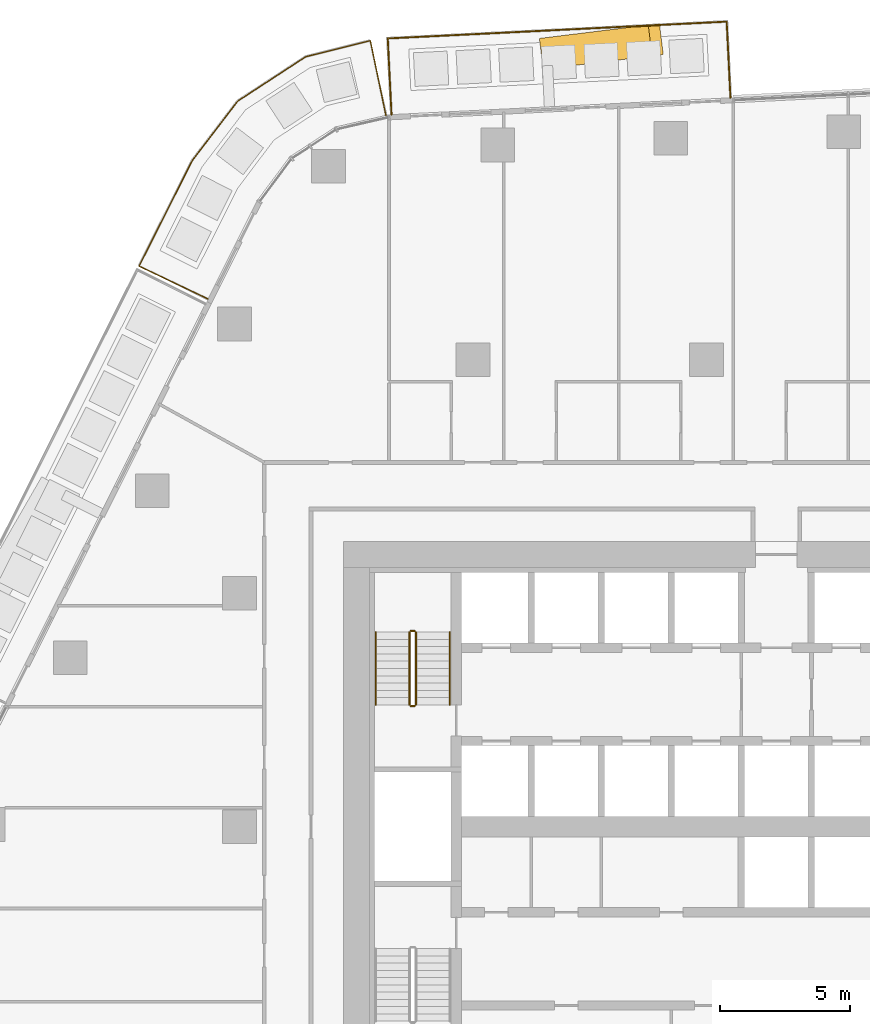
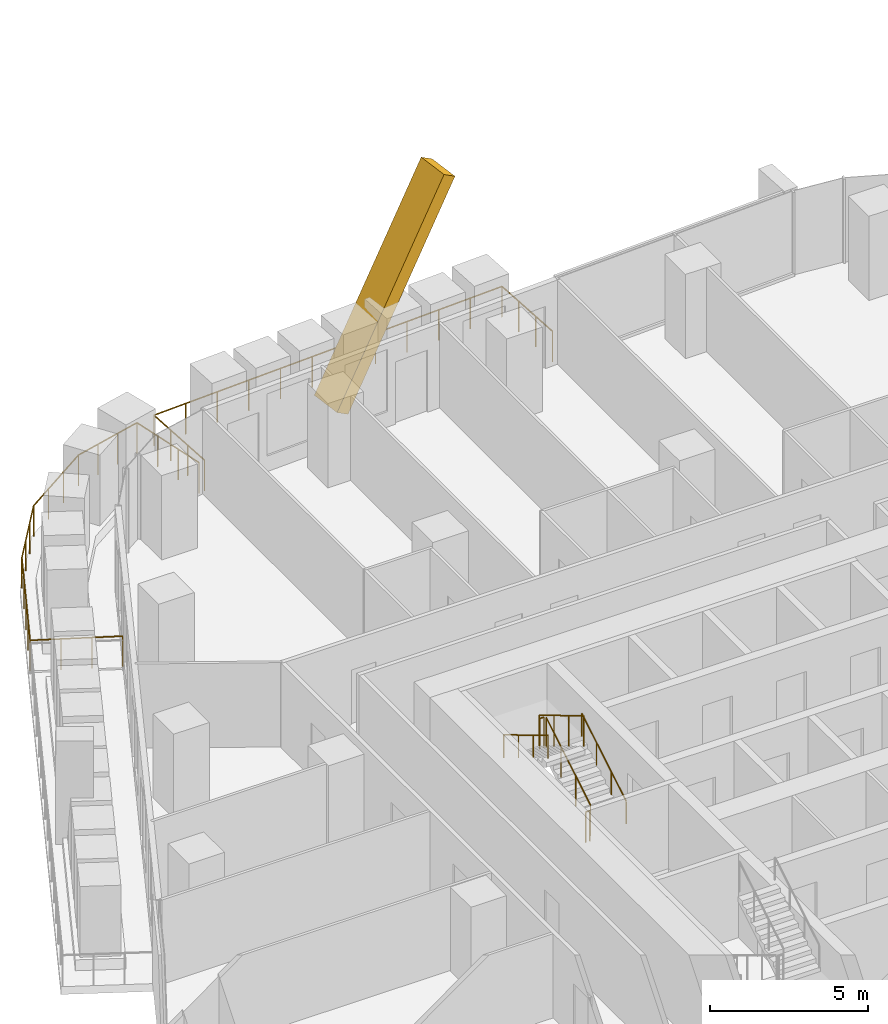
# One storey, part 24 of 26: 8 railings, 1 covering, 1 element without a shape of its own.
"""IFC4 building model written with IfcOpenShell, lengths in metres."""

import ifcopenshell
import ifcopenshell.guid

model = None  # the IFC model being written
_history = None  # IfcOwnerHistory: only IFC2X3 demands one
_inside = {}  # id of a spatial element -> (the spatial element, [elements in it])
_under = {}  # id of a project, library or spatial element -> (it, [spatial elements below it])
_declared = {}  # id of a project -> (the project, [libraries it declares])
_typed = {}  # id of a type object -> (the type object, [elements of that type])
_made_of = {}  # id of a material, layer set ... -> (it, [elements and type objects made of it])


def new_model(schema):
    """Start an empty IFC model of exactly this schema.

    Asked for "IFC4X3", IfcOpenShell would pick the latest addendum, in which some entities
    have other attributes; the version numbers below select the first issue.
    IFC2X3 requires an IfcOwnerHistory on every rooted entity: one is made here for all.
    """
    global model, _history
    if schema == "IFC4X3":
        model = ifcopenshell.file(schema_version=(4, 3, 0, 0))
    else:
        model = ifcopenshell.file(schema=schema)
    _inside.clear()
    _under.clear()
    _declared.clear()
    _typed.clear()
    _made_of.clear()
    _history = None
    if model.schema == "IFC2X3":
        org = make("IfcOrganization", Name="unknown")
        user = make(
            "IfcPersonAndOrganization",
            ThePerson=make("IfcPerson", FamilyName="unknown"),
            TheOrganization=org,
        )
        app = make(
            "IfcApplication",
            ApplicationDeveloper=org,
            Version="unknown",
            ApplicationFullName="unknown",
            ApplicationIdentifier="unknown",
        )
        _history = make(
            "IfcOwnerHistory",
            OwningUser=user,
            OwningApplication=app,
            ChangeAction="ADDED",
            CreationDate=0,
        )
    return model


def make(cls, **values):
    """One entity of the class cls with the attributes given. An attribute that is None is left unset."""
    return model.create_entity(
        cls, **{name: value for name, value in values.items() if value is not None}
    )


def rooted(cls, **values):
    """An entity with a GlobalId (a new one), such as an element, a storey or a relation."""
    return make(cls, GlobalId=ifcopenshell.guid.new(), OwnerHistory=_history, **values)


def si_unit(unit_type, name, prefix=None):
    """IfcSIUnit, for example si_unit("LENGTHUNIT", "METRE", prefix="MILLI")."""
    return make("IfcSIUnit", UnitType=unit_type, Prefix=prefix, Name=name)


def assignment(units):
    """IfcUnitAssignment: the units of a project."""
    return None if units is None else make("IfcUnitAssignment", Units=units)


def point(xyz):
    """IfcCartesianPoint."""
    return None if xyz is None else make("IfcCartesianPoint", Coordinates=xyz)


def direction(xyz):
    """IfcDirection."""
    return None if xyz is None else make("IfcDirection", DirectionRatios=xyz)


def frame(location, z_axis=None, x_axis=None):
    """IfcAxis2Placement3D, a coordinate frame: its origin and axes. An axis left out is left unset."""
    return make(
        "IfcAxis2Placement3D",
        Location=point(location),
        Axis=direction(z_axis),
        RefDirection=direction(x_axis),
    )


def frame_2d(location, x_axis=None):
    """IfcAxis2Placement2D, a coordinate frame in the plane: its origin and x axis."""
    return make(
        "IfcAxis2Placement2D", Location=point(location), RefDirection=direction(x_axis)
    )


def origin():
    """The frame at (0, 0, 0) with its axes left unset."""
    return frame((0.0, 0.0, 0.0))


def origin_2d():
    """The frame at (0, 0) in the plane with its x axis left unset."""
    return frame_2d((0.0, 0.0))


def place(relative_to, where):
    """IfcLocalPlacement: puts the frame where relative to a parent placement (None: the world)."""
    return make(
        "IfcLocalPlacement", PlacementRelTo=relative_to, RelativePlacement=where
    )


def context(
    kind, dimensions, precision=None, world=None, true_north=None, identifier=None
):
    """IfcGeometricRepresentationContext, for example the 3D "Model" context."""
    return make(
        "IfcGeometricRepresentationContext",
        ContextIdentifier=identifier,
        ContextType=kind,
        CoordinateSpaceDimension=dimensions,
        Precision=precision,
        WorldCoordinateSystem=world,
        TrueNorth=true_north,
    )


def subcontext(parent, identifier, kind, view, scale=None):
    """IfcGeometricRepresentationSubContext, for example "Body" below "Model"."""
    return make(
        "IfcGeometricRepresentationSubContext",
        ContextIdentifier=identifier,
        ContextType=kind,
        ParentContext=parent,
        TargetScale=scale,
        TargetView=view,
    )


def project(units=None, contexts=None):
    """IfcProject with its units and contexts."""
    return rooted(
        "IfcProject",
        Name="project",
        RepresentationContexts=contexts,
        UnitsInContext=assignment(units),
    )


def spatial(cls, under=None, at=None, **own):
    """A site, building, storey or space (cls), placed at a placement, below another one or the project."""
    s = rooted(cls, ObjectPlacement=at, **own)
    if under is not None:
        _under.setdefault(under.id(), (under, []))[1].append(s)
    return s


def profile(cls, at=None, kind="AREA", **sizes):
    """A parametric profile (cls). Its sizes go by their IFC names, for example OverallWidth=200.0."""
    return make(cls, ProfileType=kind, Position=at, **sizes)


def rectangle(**sizes):
    """IfcRectangleProfileDef."""
    return profile("IfcRectangleProfileDef", **sizes)


def circle(**sizes):
    """IfcCircleProfileDef."""
    return profile("IfcCircleProfileDef", **sizes)


def extrude(swept, where, along, depth):
    """IfcExtrudedAreaSolid: the profile swept, set in the frame where, extruded along a direction by depth."""
    return make(
        "IfcExtrudedAreaSolid",
        SweptArea=swept,
        Position=where,
        ExtrudedDirection=direction(along),
        Depth=depth,
    )


def shape(context_of_items, identifier, shape_type, items):
    """IfcShapeRepresentation: the items that make up one representation, for example the "Body"."""
    return make(
        "IfcShapeRepresentation",
        ContextOfItems=context_of_items,
        RepresentationIdentifier=identifier,
        RepresentationType=shape_type,
        Items=items,
    )


def material(Name=None, Category=None):
    """IfcMaterial."""
    return make("IfcMaterial", Name=Name, Category=Category)


def layer(
    of_material, thickness, ventilated=None, Name=None, Category=None, Priority=None
):
    """IfcMaterialLayer: one layer of a wall or slab, of a material (None: an air gap)."""
    return make(
        "IfcMaterialLayer",
        Material=of_material,
        LayerThickness=thickness,
        IsVentilated=ventilated,
        Name=Name,
        Category=Category,
        Priority=Priority,
    )


def layer_set(layers, Name=None):
    """IfcMaterialLayerSet."""
    return make("IfcMaterialLayerSet", MaterialLayers=layers, LayerSetName=Name)


def material_profile(
    of_material, cross_section, Name=None, Category=None, Priority=None
):
    """IfcMaterialProfile: a cross section and its material."""
    return make(
        "IfcMaterialProfile",
        Name=Name,
        Material=of_material,
        Profile=cross_section,
        Priority=Priority,
        Category=Category,
    )


def profile_set(profiles, Name=None, composite=None):
    """IfcMaterialProfileSet."""
    return make(
        "IfcMaterialProfileSet",
        Name=Name,
        MaterialProfiles=profiles,
        CompositeProfile=composite,
    )


def made_of(thing, what):
    """Note that an element or type object is made of a material, layer set ...; save() writes the relation."""
    if what is not None:
        _made_of.setdefault(what.id(), (what, []))[1].append(thing)
    return thing


def type_object(cls, material=None, **own):
    """A type object (cls), such as IfcWallType, which elements share."""
    return made_of(rooted(cls, **own), material)


def element(
    cls,
    number,
    at=None,
    inside=None,
    cuts=None,
    type_object=None,
    material=None,
    context=None,
    identifier="Body",
    shape_type=None,
    held_by="IfcProductDefinitionShape",
    body=None,
    shapes=None,
    **own,
):
    """One element of the class cls, such as IfcWall. Its Tag is "e" and its number.

    at: its placement. inside: the storey or other place that contains it. cuts: it is an
    opening in that element (IfcRelVoidsElement). A single representation is given by context,
    identifier, shape_type and body (its items); several are given by shapes. held_by: the class
    of the entity that holds the representations. save() writes the other relations.
    """
    e = rooted(cls, Tag="e%d" % number, ObjectPlacement=at, **own)
    if body is not None:
        shapes = [shape(context, identifier, shape_type, body)]
    if shapes is not None:
        e.Representation = make(held_by, Representations=shapes)
    if inside is not None:
        _inside.setdefault(inside.id(), (inside, []))[1].append(e)
    if cuts is not None:
        rooted(
            "IfcRelVoidsElement", RelatingBuildingElement=cuts, RelatedOpeningElement=e
        )
    if type_object is not None:
        _typed.setdefault(type_object.id(), (type_object, []))[1].append(e)
    return made_of(e, material)


def aggregate(whole, parts):
    """IfcRelAggregates: a whole, such as a stair, and the parts it consists of."""
    return rooted("IfcRelAggregates", RelatingObject=whole, RelatedObjects=parts)


def save(model, path):
    """Write the relations noted so far, then the file.

    IfcRelAggregates (storeys below a building ...), IfcRelContainedInSpatialStructure (elements
    in a storey), IfcRelDefinesByType, IfcRelAssociatesMaterial and IfcRelDeclares: one each for
    every whole, place, type object, material and project.
    """
    for whole, parts in _under.values():
        aggregate(whole, parts)
    for where, things in _inside.values():
        rooted(
            "IfcRelContainedInSpatialStructure",
            RelatedElements=things,
            RelatingStructure=where,
        )
    for kind, things in _typed.values():
        rooted("IfcRelDefinesByType", RelatedObjects=things, RelatingType=kind)
    for what, things in _made_of.values():
        rooted("IfcRelAssociatesMaterial", RelatedObjects=things, RelatingMaterial=what)
    for by, libraries in _declared.values():
        rooted("IfcRelDeclares", RelatingContext=by, RelatedDefinitions=libraries)
    model.write(path)


model = new_model("IFC4")

# Units and contexts
model_context = context("Model", 3, precision=1e-05, world=origin(), true_north=direction((0.0, 1.0)))
body_context = subcontext(model_context, "Body", "Model", "MODEL_VIEW")
ifc_project = project(units=[si_unit("LENGTHUNIT", "METRE"), si_unit("AREAUNIT", "SQUARE_METRE"), si_unit("VOLUMEUNIT", "CUBIC_METRE"), si_unit("PLANEANGLEUNIT", "RADIAN"), si_unit("MASSUNIT", "GRAM", prefix="KILO")], contexts=[model_context])

# Site, building, storey
site_placement = place(None, origin())
site = spatial("IfcSite", under=ifc_project, at=site_placement, CompositionType="ELEMENT")
building_placement = place(site_placement, origin())
building = spatial("IfcBuilding", under=site, at=building_placement, Name="Dongbaek Canopy Tower", CompositionType="ELEMENT")
storey_placement = place(building_placement, frame((0.0, 0.0, 95.199951171875)))
storey = spatial("IfcBuildingStorey", under=building, at=storey_placement, Name="L19", CompositionType="ELEMENT", Elevation=95.199951171875)

# Railings
ifc_material_1 = material(Name="Stainless steel", Category="steel")
railing_type_1 = type_object("IfcRailingType", Name="Balcony balustrade 1200", PredefinedType="BALUSTRADE", material=ifc_material_1)
railing_1_placement = place(storey_placement, frame((0.927490234375, 28.10693359375, 0.0)))
element("IfcRailing", 1, at=railing_1_placement, inside=storey, type_object=railing_type_1, Name="Balcony guard L19 2", PredefinedType="BALUSTRADE", context=body_context, shape_type="SweptSolid", body=[
    extrude(circle(Radius=0.02392578125, at=origin_2d()), frame((0.0, 0.0, 1.17578125), z_axis=(-0.049573161416, 0.998770494992, 0.0), x_axis=(-0.998770494992, -0.049573161416, 0.0)), (0.0, 0.0, 1.0), 2.940185546875),
    extrude(circle(Radius=0.02392578125, at=origin_2d()), frame((-0.145751953125, 2.9365234375, 1.17578125), z_axis=(-0.998772357808, -0.049535616267, 0.0), x_axis=(0.049535616267, -0.998772357808, 0.0)), (0.0, 0.0, 1.0), 13.08544921875),
    extrude(circle(Radius=0.02392578125, at=origin_2d()), frame((-13.215087890625, 2.288330078125, 1.17578125), z_axis=(0.049490327847, -0.998774602926, 0.0), x_axis=(0.998774602926, 0.049490327847, 0.0)), (0.0, 0.0, 1.0), 2.940185546875),
    extrude(circle(Radius=0.02099609375, at=origin_2d()), origin(), (0.0, 0.0, 1.0), 1.15185546875),
    extrude(circle(Radius=0.02099609375, at=origin_2d()), frame((-0.048583984375, 0.978759765625, 0.0)), (0.0, 0.0, 1.0), 1.15185546875),
    extrude(circle(Radius=0.02099609375, at=origin_2d()), frame((-0.09716796875, 1.957763671875, 0.0)), (0.0, 0.0, 1.0), 1.15185546875),
    extrude(circle(Radius=0.02099609375, at=origin_2d()), frame((-0.145751953125, 2.9365234375, 0.0)), (0.0, 0.0, 1.0), 1.15185546875),
    extrude(circle(Radius=0.02099609375, at=origin_2d()), frame((-1.333984375, 2.877685546875, 0.0)), (0.0, 0.0, 1.0), 1.15185546875),
    extrude(circle(Radius=0.02099609375, at=origin_2d()), frame((-2.52197265625, 2.818603515625, 0.0)), (0.0, 0.0, 1.0), 1.15185546875),
    extrude(circle(Radius=0.02099609375, at=origin_2d()), frame((-3.710205078125, 2.759765625, 0.0)), (0.0, 0.0, 1.0), 1.15185546875),
    extrude(circle(Radius=0.02099609375, at=origin_2d()), frame((-4.898193359375, 2.700927734375, 0.0)), (0.0, 0.0, 1.0), 1.15185546875),
    extrude(circle(Radius=0.02099609375, at=origin_2d()), frame((-6.08642578125, 2.641845703125, 0.0)), (0.0, 0.0, 1.0), 1.15185546875),
    extrude(circle(Radius=0.02099609375, at=origin_2d()), frame((-7.2744140625, 2.5830078125, 0.0)), (0.0, 0.0, 1.0), 1.15185546875),
    extrude(circle(Radius=0.02099609375, at=origin_2d()), frame((-8.462646484375, 2.52392578125, 0.0)), (0.0, 0.0, 1.0), 1.15185546875),
    extrude(circle(Radius=0.02099609375, at=origin_2d()), frame((-9.650634765625, 2.465087890625, 0.0)), (0.0, 0.0, 1.0), 1.15185546875),
    extrude(circle(Radius=0.02099609375, at=origin_2d()), frame((-10.8388671875, 2.40625, 0.0)), (0.0, 0.0, 1.0), 1.15185546875),
    extrude(circle(Radius=0.02099609375, at=origin_2d()), frame((-12.02685546875, 2.34716796875, 0.0)), (0.0, 0.0, 1.0), 1.15185546875),
    extrude(circle(Radius=0.02099609375, at=origin_2d()), frame((-13.215087890625, 2.288330078125, 0.0)), (0.0, 0.0, 1.0), 1.15185546875),
    extrude(circle(Radius=0.02099609375, at=origin_2d()), frame((-13.16650390625, 1.3095703125, 0.0)), (0.0, 0.0, 1.0), 1.15185546875),
    extrude(circle(Radius=0.02099609375, at=origin_2d()), frame((-13.1181640625, 0.33056640625, 0.0)), (0.0, 0.0, 1.0), 1.15185546875),
    extrude(circle(Radius=0.02099609375, at=origin_2d()), frame((-13.069580078125, -0.648193359375, 0.0)), (0.0, 0.0, 1.0), 1.15185546875),
])
railing_2_placement = place(storey_placement, frame((-12.359130859375, 27.4287109375, 0.0)))
element("IfcRailing", 2, at=railing_2_placement, inside=storey, type_object=railing_type_1, Name="Balcony guard L19 7", PredefinedType="BALUSTRADE", context=body_context, shape_type="SweptSolid", body=[
    extrude(circle(Radius=0.02392578125, at=origin_2d()), frame((0.0, 0.0, 1.17578125), z_axis=(-0.203821636355, 0.979008039065, 0.0), x_axis=(-0.979008039065, -0.203821636355, 0.0)), (0.0, 0.0, 1.0), 2.940673828125),
    extrude(circle(Radius=0.02392578125, at=origin_2d()), frame((-0.599365234375, 2.87890625, 1.17578125), z_axis=(-0.970527127867, -0.240991896282, 0.0), x_axis=(0.240991896282, -0.970527127867, 0.0)), (0.0, 0.0, 1.0), 2.568115234375),
    extrude(circle(Radius=0.02392578125, at=origin_2d()), frame((-3.091796875, 2.260009765625, 1.17578125), z_axis=(-0.837559434191, -0.546346221912, 0.0), x_axis=(0.546346221912, -0.837559434191, 0.0)), (0.0, 0.0, 1.0), 3.133056640625),
    extrude(circle(Radius=0.02392578125, at=origin_2d()), frame((-5.7158203125, 0.54833984375, 1.17578125), z_axis=(-0.607172847411, -0.79456977879, 0.0), x_axis=(0.79456977879, -0.607172847411, 0.0)), (0.0, 0.0, 1.0), 2.87646484375),
    extrude(circle(Radius=0.02392578125, at=origin_2d()), frame((-7.46240234375, -1.7373046875, 1.17578125), z_axis=(-0.450184545621, -0.892935537922, 0.0), x_axis=(0.892935537922, -0.450184545621, 0.0)), (0.0, 0.0, 1.0), 4.565185546875),
    extrude(circle(Radius=0.02392578125, at=origin_2d()), frame((-9.517578125, -5.813720703125, 1.17578125), z_axis=(0.90303845694, -0.429559710969, 0.0), x_axis=(0.429559710969, 0.90303845694, 0.0)), (0.0, 0.0, 1.0), 2.940673828125),
    extrude(circle(Radius=0.02099609375, at=origin_2d()), origin(), (0.0, 0.0, 1.0), 1.15185546875),
    extrude(circle(Radius=0.02099609375, at=origin_2d()), frame((-0.19970703125, 0.959716796875, 0.0)), (0.0, 0.0, 1.0), 1.15185546875),
    extrude(circle(Radius=0.02099609375, at=origin_2d()), frame((-0.399658203125, 1.919189453125, 0.0)), (0.0, 0.0, 1.0), 1.15185546875),
    extrude(circle(Radius=0.02099609375, at=origin_2d()), frame((-0.599365234375, 2.87890625, 0.0)), (0.0, 0.0, 1.0), 1.15185546875),
    extrude(circle(Radius=0.02099609375, at=origin_2d()), frame((-1.43017578125, 2.672607421875, 0.0)), (0.0, 0.0, 1.0), 1.15185546875),
    extrude(circle(Radius=0.02099609375, at=origin_2d()), frame((-2.260986328125, 2.46630859375, 0.0)), (0.0, 0.0, 1.0), 1.15185546875),
    extrude(circle(Radius=0.02099609375, at=origin_2d()), frame((-3.091796875, 2.260009765625, 0.0)), (0.0, 0.0, 1.0), 1.15185546875),
    extrude(circle(Radius=0.02099609375, at=origin_2d()), frame((-3.966552734375, 1.689453125, 0.0)), (0.0, 0.0, 1.0), 1.15185546875),
    extrude(circle(Radius=0.02099609375, at=origin_2d()), frame((-4.841064453125, 1.118896484375, 0.0)), (0.0, 0.0, 1.0), 1.15185546875),
    extrude(circle(Radius=0.02099609375, at=origin_2d()), frame((-5.7158203125, 0.54833984375, 0.0)), (0.0, 0.0, 1.0), 1.15185546875),
    extrude(circle(Radius=0.02099609375, at=origin_2d()), frame((-6.298095703125, -0.213623046875, 0.0)), (0.0, 0.0, 1.0), 1.15185546875),
    extrude(circle(Radius=0.02099609375, at=origin_2d()), frame((-6.880126953125, -0.975341796875, 0.0)), (0.0, 0.0, 1.0), 1.15185546875),
    extrude(circle(Radius=0.02099609375, at=origin_2d()), frame((-7.46240234375, -1.7373046875, 0.0)), (0.0, 0.0, 1.0), 1.15185546875),
    extrude(circle(Radius=0.02099609375, at=origin_2d()), frame((-7.97607421875, -2.75634765625, 0.0)), (0.0, 0.0, 1.0), 1.15185546875),
    extrude(circle(Radius=0.02099609375, at=origin_2d()), frame((-8.489990234375, -3.775390625, 0.0)), (0.0, 0.0, 1.0), 1.15185546875),
    extrude(circle(Radius=0.02099609375, at=origin_2d()), frame((-9.00390625, -4.794677734375, 0.0)), (0.0, 0.0, 1.0), 1.15185546875),
    extrude(circle(Radius=0.02099609375, at=origin_2d()), frame((-9.517578125, -5.813720703125, 0.0)), (0.0, 0.0, 1.0), 1.15185546875),
    extrude(circle(Radius=0.02099609375, at=origin_2d()), frame((-8.63232421875, -6.23486328125, 0.0)), (0.0, 0.0, 1.0), 1.15185546875),
    extrude(circle(Radius=0.02099609375, at=origin_2d()), frame((-7.747314453125, -6.65576171875, 0.0)), (0.0, 0.0, 1.0), 1.15185546875),
    extrude(circle(Radius=0.02099609375, at=origin_2d()), frame((-6.862060546875, -7.076904296875, 0.0)), (0.0, 0.0, 1.0), 1.15185546875),
])

# Curtain wall, covering
ifc_material_2 = material(Name="Aluminium 6063-T6 pale anodised", Category="aluminium")
ifc_layer = layer(ifc_material_2, 0.199951171875)
ifc_layer_set = layer_set([ifc_layer], Name="CW-1 unitised tower curtain wall")
curtain_wall_type = type_object("IfcCurtainWallType", Name="CW-1 unitised tower curtain wall", PredefinedType="NOTDEFINED", material=ifc_layer_set)
curtain_wall_placement = place(storey_placement, origin())
curtain_wall = element("IfcCurtainWall", 3, at=curtain_wall_placement, inside=storey, type_object=curtain_wall_type, Name="CW-1 curtain wall K2.1a", PredefinedType="NOTDEFINED")
ifc_material_3 = material(Name="Aluminium 6063-T6 pale metal fin", Category="aluminium")
ifc_material_profile = material_profile(ifc_material_3, rectangle(XDim=1.199951171875, YDim=0.5, at=origin_2d()), Name="Crease fin CF1 500 x 1200 pale metal")
ifc_profile_set = profile_set([ifc_material_profile], Name="Aluminium 6063-T6 pale metal fin")
covering_type = type_object("IfcCoveringType", Name="Crease fin CF1 500 x 1200 pale metal", PredefinedType="CLADDING", material=ifc_profile_set)
covering_placement = place(storey_placement, frame((-6.152587890625, 29.8271484375, -0.224853515625), z_axis=(0.492611223604, 0.060634802045, 0.868134553604), x_axis=(-0.122166570595, 0.992509611555, 0.0)))
covering = element("IfcCovering", 4, at=covering_placement, type_object=covering_type, Name="Crease fin L19 L21 F1", PredefinedType="CLADDING", context=body_context, shape_type="SweptSolid", body=[
    extrude(rectangle(XDim=1.199951171875, YDim=0.5, at=origin_2d()), origin(), (0.0, 0.0, 1.0), 8.52392578125),
])
aggregate(curtain_wall, [covering])

# Railings
ifc_material_4 = material(Name="Stainless steel tube and balusters", Category="steel")
railing_type_2 = type_object("IfcRailingType", Name="Stair guard 1200", PredefinedType="GUARDRAIL", material=ifc_material_4)
railing_3_placement = place(storey_placement, frame((-11.199951171875, 4.699951171875, 0.168212890625)))
element("IfcRailing", 5, at=railing_3_placement, inside=storey, type_object=railing_type_2, Name="L19 ST-C stair guard 1", PredefinedType="GUARDRAIL", context=body_context, shape_type="SweptSolid", body=[
    extrude(circle(Radius=0.02392578125, at=origin_2d()), frame((0.0, 0.0, 1.17578125), z_axis=(0.0, 0.857242210791, 0.514913383045), x_axis=(-1.0, 0.0, 0.0)), (0.0, 0.0, 1.0), 3.266357421875),
    extrude(circle(Radius=0.02099609375, at=origin_2d()), origin(), (0.0, 0.0, 1.0), 1.15185546875),
    extrude(circle(Radius=0.02099609375, at=origin_2d()), frame((0.0, 0.933349609375, 0.560546875)), (0.0, 0.0, 1.0), 1.15185546875),
    extrude(circle(Radius=0.02099609375, at=origin_2d()), frame((0.0, 1.86669921875, 1.121337890625)), (0.0, 0.0, 1.0), 1.15185546875),
    extrude(circle(Radius=0.02099609375, at=origin_2d()), frame((0.0, 2.800048828125, 1.681884765625)), (0.0, 0.0, 1.0), 1.15185546875),
])
railing_4_placement = place(storey_placement, frame((-11.25, 7.550048828125, 1.85009765625)))
element("IfcRailing", 6, at=railing_4_placement, inside=storey, type_object=railing_type_2, Name="L19 ST-C stair guard 2", PredefinedType="GUARDRAIL", context=body_context, shape_type="SweptSolid", body=[
    extrude(circle(Radius=0.02392578125, at=origin_2d()), frame((0.0, 0.0, 1.17578125), z_axis=(-1.0, 0.0, 0.0), x_axis=(0.0, -1.0, 0.0)), (0.0, 0.0, 1.0), 0.14990234375),
    extrude(circle(Radius=0.02099609375, at=origin_2d()), origin(), (0.0, 0.0, 1.0), 1.15185546875),
    extrude(circle(Radius=0.02099609375, at=origin_2d()), frame((-0.14990234375, 0.0, 0.0)), (0.0, 0.0, 1.0), 1.15185546875),
])
railing_5_placement = place(storey_placement, frame((-11.449951171875, 7.5, 2.018310546875)))
element("IfcRailing", 7, at=railing_5_placement, inside=storey, type_object=railing_type_2, Name="L19 ST-C stair guard 3", PredefinedType="GUARDRAIL", context=body_context, shape_type="SweptSolid", body=[
    extrude(circle(Radius=0.02392578125, at=origin_2d()), frame((0.0, 0.0, 1.17578125), z_axis=(0.0, -0.857275202839, 0.514858452973), x_axis=(1.0, 0.0, 0.0)), (0.0, 0.0, 1.0), 3.26611328125),
    extrude(circle(Radius=0.02099609375, at=origin_2d()), origin(), (0.0, 0.0, 1.0), 1.15185546875),
    extrude(circle(Radius=0.02099609375, at=origin_2d()), frame((0.0, -0.933349609375, 0.560546875)), (0.0, 0.0, 1.0), 1.15185546875),
    extrude(circle(Radius=0.02099609375, at=origin_2d()), frame((0.0, -1.86669921875, 1.12109375)), (0.0, 0.0, 1.0), 1.15185546875),
    extrude(circle(Radius=0.02099609375, at=origin_2d()), frame((0.0, -2.800048828125, 1.681640625)), (0.0, 0.0, 1.0), 1.15185546875),
])
railing_6_placement = place(storey_placement, frame((-11.25, 4.64990234375, 0.0)))
element("IfcRailing", 8, at=railing_6_placement, inside=storey, type_object=railing_type_2, Name="L19 ST-C stair guard 4", PredefinedType="GUARDRAIL", context=body_context, shape_type="SweptSolid", body=[
    extrude(circle(Radius=0.02392578125, at=origin_2d()), frame((0.0, 0.0, 1.17578125), z_axis=(-1.0, 0.0, 0.0), x_axis=(0.0, -1.0, 0.0)), (0.0, 0.0, 1.0), 0.14990234375),
    extrude(circle(Radius=0.02099609375, at=origin_2d()), origin(), (0.0, 0.0, 1.0), 1.15185546875),
    extrude(circle(Radius=0.02099609375, at=origin_2d()), frame((-0.14990234375, 0.0, 0.0)), (0.0, 0.0, 1.0), 1.15185546875),
])
ifc_material_5 = material(Name="Stainless steel tube", Category="steel")
railing_type_3 = type_object("IfcRailingType", Name="Stair handrail 900", PredefinedType="HANDRAIL", material=ifc_material_5)
railing_7_placement = place(storey_placement, frame((-9.89990234375, 4.699951171875, 0.168212890625)))
element("IfcRailing", 9, at=railing_7_placement, inside=storey, type_object=railing_type_3, Name="L19 ST-C stair handrail 1", PredefinedType="HANDRAIL", context=body_context, shape_type="SweptSolid", body=[
    extrude(circle(Radius=0.02392578125, at=origin_2d()), frame((0.0, 0.0, 0.8759765625), z_axis=(0.0, 0.857242210791, 0.514913383045), x_axis=(-1.0, 0.0, 0.0)), (0.0, 0.0, 1.0), 3.266357421875),
    extrude(circle(Radius=0.02099609375, at=origin_2d()), origin(), (0.0, 0.0, 1.0), 0.851806640625),
    extrude(circle(Radius=0.02099609375, at=origin_2d()), frame((0.0, 0.933349609375, 0.560546875)), (0.0, 0.0, 1.0), 0.851806640625),
    extrude(circle(Radius=0.02099609375, at=origin_2d()), frame((0.0, 1.86669921875, 1.121337890625)), (0.0, 0.0, 1.0), 0.851806640625),
    extrude(circle(Radius=0.02099609375, at=origin_2d()), frame((0.0, 2.800048828125, 1.681884765625)), (0.0, 0.0, 1.0), 0.851806640625),
])
railing_8_placement = place(storey_placement, frame((-12.75, 7.5, 2.018310546875)))
element("IfcRailing", 10, at=railing_8_placement, inside=storey, type_object=railing_type_3, Name="L19 ST-C stair handrail 2", PredefinedType="HANDRAIL", context=body_context, shape_type="SweptSolid", body=[
    extrude(circle(Radius=0.02392578125, at=origin_2d()), frame((0.0, 0.0, 0.8759765625), z_axis=(0.0, -0.857275202839, 0.514858452973), x_axis=(1.0, 0.0, 0.0)), (0.0, 0.0, 1.0), 3.26611328125),
    extrude(circle(Radius=0.02099609375, at=origin_2d()), origin(), (0.0, 0.0, 1.0), 0.851806640625),
    extrude(circle(Radius=0.02099609375, at=origin_2d()), frame((0.0, -0.933349609375, 0.560546875)), (0.0, 0.0, 1.0), 0.851806640625),
    extrude(circle(Radius=0.02099609375, at=origin_2d()), frame((0.0, -1.86669921875, 1.12109375)), (0.0, 0.0, 1.0), 0.851806640625),
    extrude(circle(Radius=0.02099609375, at=origin_2d()), frame((0.0, -2.800048828125, 1.681640625)), (0.0, 0.0, 1.0), 0.851806640625),
])

save(model, "model.ifc")
